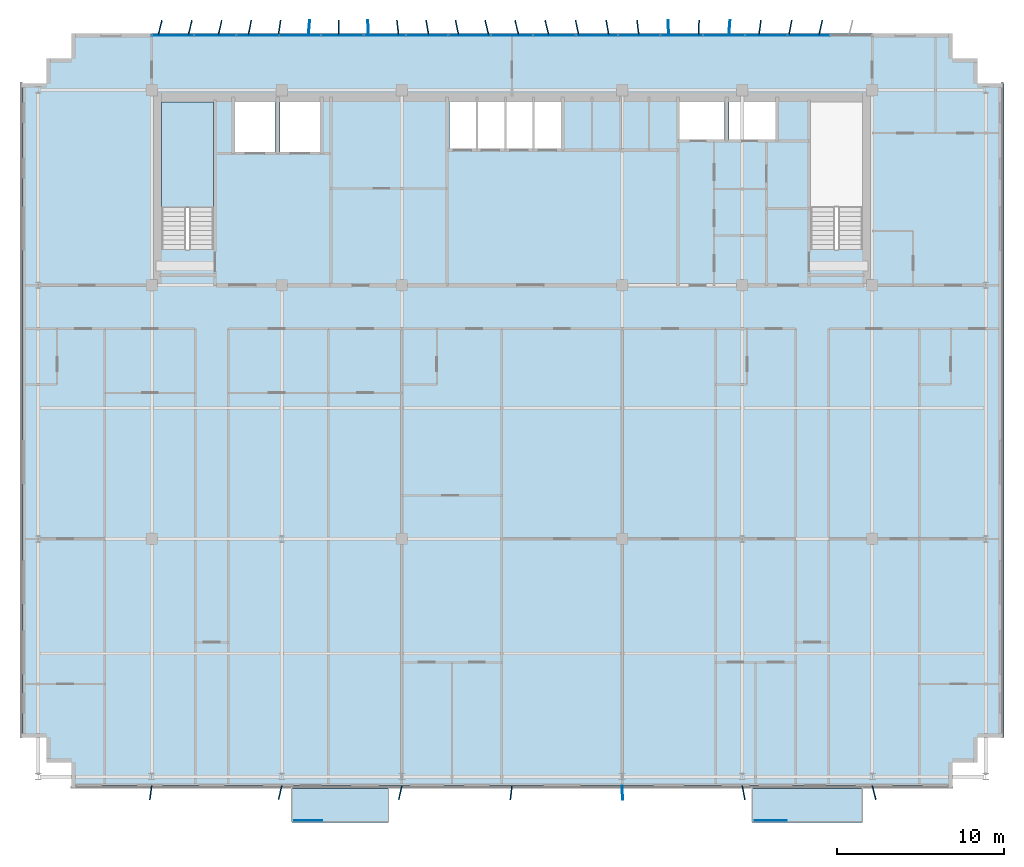
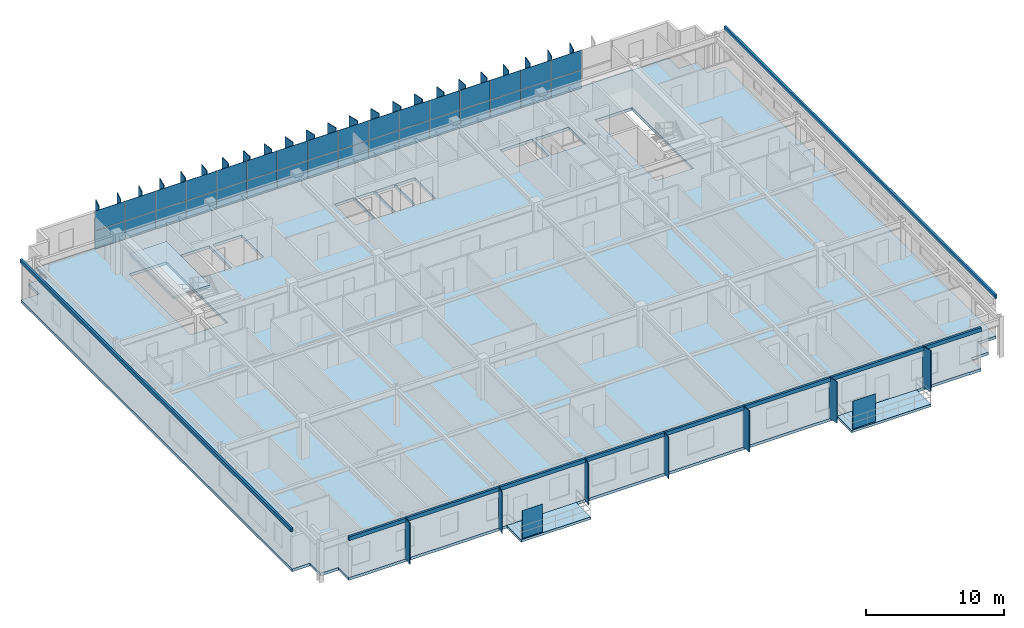
# One storey, part 13 of 21: 67 plates, 4 slabs, 2 elements without a shape of their own.
"""IFC4 building model written with IfcOpenShell, lengths in metres."""

from ifc_helpers import new_model, si_unit, direction, frame, origin, origin_2d, place, context, subcontext, project, spatial, polyline, rectangle, outline, extrude, source, transform, mapped, material, layer, layer_set, type_object, element, aggregate, save


model = new_model("IFC4")

# Units and contexts
model_context = context("Model", 3, precision=1e-05, world=origin(), true_north=direction((0.0, 1.0)))
body_context = subcontext(model_context, "Body", "Model", "MODEL_VIEW")
ifc_project = project(units=[si_unit("LENGTHUNIT", "METRE"), si_unit("AREAUNIT", "SQUARE_METRE"), si_unit("VOLUMEUNIT", "CUBIC_METRE"), si_unit("PLANEANGLEUNIT", "RADIAN"), si_unit("MASSUNIT", "GRAM", prefix="KILO")], contexts=[model_context])

# Site, building, storey
site_placement = place(None, origin())
site = spatial("IfcSite", under=ifc_project, at=site_placement, CompositionType="ELEMENT")
building_placement = place(site_placement, origin())
building = spatial("IfcBuilding", under=site, at=building_placement, Name="Trelvane Seafront Commons", CompositionType="ELEMENT")
storey_placement = place(building_placement, frame((0.0, 0.0, 153.699951171875)))
storey = spatial("IfcBuildingStorey", under=building, at=storey_placement, Name="L40", CompositionType="ELEMENT", Elevation=153.699951171875)

# Slabs
ifc_material_1 = material(Name="Concrete C40/50", Category="concrete")
ifc_layer_1 = layer(ifc_material_1, 0.219970703125, Name="ARCH-BALC-220")
ifc_layer_set_1 = layer_set([ifc_layer_1], Name="Concrete C40/50")
slab_type_1 = type_object("IfcSlabType", Name="ARCH-BALC-220", PredefinedType="FLOOR", material=ifc_layer_set_1)
slab_1_placement = place(storey_placement, frame((0.0, 0.0, -0.219970703125)))
element("IfcSlab", 1, at=slab_1_placement, inside=storey, type_object=slab_type_1, Name="L40 Cantilevered Tree Balcony Loggia 2", PredefinedType="FLOOR", context=body_context, shape_type="SweptSolid", body=[
    extrude(outline(polyline([(24.0, 1.199951171875), (29.800048828125, 1.199951171875), (29.800048828125, 3.300048828125), (24.0, 3.300048828125), (24.0, 1.199951171875)])), origin(), (0.0, 0.0, 1.0), 0.219970703125),
])
slab_2_placement = place(storey_placement, frame((0.0, 0.0, -0.219970703125)))
element("IfcSlab", 2, at=slab_2_placement, inside=storey, type_object=slab_type_1, Name="L40 Cantilevered Tree Balcony Loggia 3", PredefinedType="FLOOR", context=body_context, shape_type="SweptSolid", body=[
    extrude(outline(polyline([(51.60009765625, 1.199951171875), (58.199951171875, 1.199951171875), (58.199951171875, 3.300048828125), (51.60009765625, 3.300048828125), (51.60009765625, 1.199951171875)])), origin(), (0.0, 0.0, 1.0), 0.219970703125),
])

# Stair, slab
stair_type = type_object("IfcStairType", Name="ARCH-STR-ST-1-R20-180", PredefinedType="HALF_TURN_STAIR", material=ifc_material_1)
stair_placement = place(storey_placement, origin())
stair = element("IfcStair", 3, at=stair_placement, inside=storey, type_object=stair_type, Name="L40 West Protected Firefighting Exit Stair ST-1", PredefinedType="HALF_TURN_STAIR")
ifc_layer_2 = layer(ifc_material_1, 0.199951171875, Name="ARCH-LND-200")
ifc_layer_set_2 = layer_set([ifc_layer_2], Name="Concrete C40/50")
slab_type_2 = type_object("IfcSlabType", Name="ARCH-LND-200", PredefinedType="LANDING", material=ifc_layer_set_2)
slab_3_placement = place(storey_placement, frame((0.0, 0.0, 1.60009765625)))
slab_3 = element("IfcSlab", 4, at=slab_3_placement, type_object=slab_type_2, Name="ST-1 landing 1", PredefinedType="LANDING", context=body_context, shape_type="SweptSolid", body=[
    extrude(outline(polyline([(19.300048828125, 38.070068359375), (19.300048828125, 44.39990234375), (16.199951171875, 44.39990234375), (16.199951171875, 38.070068359375), (19.300048828125, 38.070068359375)])), origin(), (0.0, 0.0, 1.0), 0.199951171875),
])
aggregate(stair, [slab_3])

# Slab
ifc_material_2 = material(Name="Concrete C50/60", Category="concrete")
ifc_layer_3 = layer(ifc_material_2, 0.25, Name="STR-SLB-Z3-250")
ifc_layer_set_3 = layer_set([ifc_layer_3], Name="Concrete C50/60")
slab_type_3 = type_object("IfcSlabType", Name="STR-SLB-Z3-250", PredefinedType="FLOOR", material=ifc_layer_set_3)
slab_4_placement = place(storey_placement, frame((0.0, 0.0, -0.25)))
element("IfcSlab", 5, at=slab_4_placement, inside=storey, type_object=slab_type_3, Name="L40 Structural Floor Slab", PredefinedType="FLOOR", context=body_context, shape_type="SweptSolid", body=[
    extrude(outline(polyline([(10.800048828125, 3.300048828125), (63.60009765625, 3.300048828125), (63.60009765625, 4.800048828125), (65.10009765625, 4.800048828125), (65.10009765625, 6.300048828125), (66.60009765625, 6.300048828125), (66.60009765625, 45.5), (65.10009765625, 45.5), (65.10009765625, 47.0), (63.60009765625, 47.0), (63.60009765625, 48.5), (10.800048828125, 48.5), (10.800048828125, 47.0), (9.300048828125, 47.0), (9.300048828125, 45.5), (7.800048828125, 45.5), (7.800048828125, 6.300048828125), (9.300048828125, 6.300048828125), (9.300048828125, 4.800048828125), (10.800048828125, 4.800048828125), (10.800048828125, 3.300048828125)]), holes=[polyline([(19.300048828125, 35.550048828125), (16.199951171875, 35.550048828125), (16.199951171875, 44.39990234375), (19.300048828125, 44.39990234375), (19.300048828125, 35.550048828125)]), polyline([(58.199951171875, 35.550048828125), (55.10009765625, 35.550048828125), (55.10009765625, 44.39990234375), (58.199951171875, 44.39990234375), (58.199951171875, 35.550048828125)]), polyline([(23.0, 41.39990234375), (20.60009765625, 41.39990234375), (20.60009765625, 44.60009765625), (23.0, 44.60009765625), (23.0, 41.39990234375)]), polyline([(23.300048828125, 41.39990234375), (23.300048828125, 44.60009765625), (25.699951171875, 44.60009765625), (25.699951171875, 41.39990234375), (23.300048828125, 41.39990234375)]), polyline([(33.449951171875, 41.60009765625), (33.449951171875, 44.60009765625), (35.070068359375, 44.60009765625), (35.070068359375, 41.60009765625), (33.449951171875, 41.60009765625)]), polyline([(36.77001953125, 41.60009765625), (35.14990234375, 41.60009765625), (35.14990234375, 44.60009765625), (36.77001953125, 44.60009765625), (36.77001953125, 41.60009765625)]), polyline([(38.469970703125, 41.60009765625), (36.85009765625, 41.60009765625), (36.85009765625, 44.60009765625), (38.469970703125, 44.60009765625), (38.469970703125, 41.60009765625)]), polyline([(40.169921875, 41.60009765625), (38.550048828125, 41.60009765625), (38.550048828125, 44.60009765625), (40.169921875, 44.60009765625), (40.169921875, 41.60009765625)]), polyline([(47.25, 42.14990234375), (47.25, 44.550048828125), (49.949951171875, 44.550048828125), (49.949951171875, 42.14990234375), (47.25, 42.14990234375)]), polyline([(50.199951171875, 42.14990234375), (50.199951171875, 44.550048828125), (53.0, 44.550048828125), (53.0, 42.14990234375), (50.199951171875, 42.14990234375)])]), origin(), (0.0, 0.0, 1.0), 0.25),
])

# Plates
ifc_material_3 = material(Name="Perforated anodised aluminium screen", Category="aluminium")
ifc_layer_4 = layer(ifc_material_3, 0.01611328125, Name="ARCH-PLATE-SCREEN")
ifc_layer_set_4 = layer_set([ifc_layer_4], Name="Perforated anodised aluminium screen")
plate_type_1 = type_object("IfcPlateType", Name="ARCH-PLATE-SCREEN", PredefinedType="USERDEFINED", material=ifc_layer_set_4)
shared_shape_1 = source(origin(), body_context, "Body", "SweptSolid", [
    extrude(rectangle(XDim=1.9140625, YDim=0.01611328125, at=origin_2d()), origin(), (0.0, 0.0, 1.0), 2.449951171875),
])
plate_1_placement = place(storey_placement, frame((52.70703125, 1.320068359375, 0.0), z_axis=(0.0, 0.0, 1.0), x_axis=(1.0, 0.0, 0.0)))
element("IfcPlate", 6, at=plate_1_placement, inside=storey, type_object=plate_type_1, Name="SCR-L40-00147", ObjectType="SCREEN", PredefinedType="USERDEFINED", context=body_context, shape_type="MappedRepresentation", body=[
    mapped(shared_shape_1, transform((0.0, 0.0, 0.0), x_axis=(1.0, 0.0, 0.0), y_axis=(0.0, 1.0, 0.0), z_axis=(0.0, 0.0, 1.0), scale=1.0)),
])
shared_shape_2 = source(origin(), body_context, "Body", "SweptSolid", [
    extrude(rectangle(XDim=1.681884765625, YDim=0.01611328125, at=origin_2d()), origin(), (0.0, 0.0, 1.0), 2.449951171875),
])
plate_2_placement = place(storey_placement, frame((24.990966796875, 1.320068359375, 0.0), z_axis=(0.0, 0.0, 1.0), x_axis=(1.0, 0.0, 0.0)))
element("IfcPlate", 7, at=plate_2_placement, inside=storey, type_object=plate_type_1, Name="SCR-L40-00146", ObjectType="SCREEN", PredefinedType="USERDEFINED", context=body_context, shape_type="MappedRepresentation", body=[
    mapped(shared_shape_2, transform((0.0, 0.0, 0.0), x_axis=(1.0, 0.0, 0.0), y_axis=(0.0, 1.0, 0.0), z_axis=(0.0, 0.0, 1.0), scale=1.0)),
])
ifc_material_4 = material(Name="Anodised pale-silver aluminium", Category="aluminium")
ifc_layer_5 = layer(ifc_material_4, 0.06005859375, Name="ARCH-PLATE-FIN900")
ifc_layer_set_5 = layer_set([ifc_layer_5], Name="Anodised pale-silver aluminium")
plate_type_2 = type_object("IfcPlateType", Name="ARCH-PLATE-FIN900", PredefinedType="USERDEFINED", material=ifc_layer_set_5)
shared_shape_3 = source(origin(), body_context, "Body", "SweptSolid", [
    extrude(rectangle(XDim=0.89990234375, YDim=0.06005859375, at=origin_2d()), origin(), (0.0, 0.0, 1.0), 3.639892578125),
])
for number, where, z_axis, x_axis, name in (
    (8, (16.107666015625, 48.8369140625, -0.02001953125), (0.0, 0.0, 1.0), (0.239109698229, 0.970992560328, 0.0), "FIN-L40-01092"),
    (9, (17.908203125, 48.8369140625, -0.02001953125), (0.0, 0.0, 1.0), (0.240234819351, 0.970714804446, 0.0), "FIN-L40-01093"),
    (10, (19.70068359375, 48.838623046875, -0.02001953125), (0.0, 0.0, 1.0), (0.223877841703, 0.974617213061, 0.0), "FIN-L40-01094"),
    (11, (21.48583984375, 48.841796875, -0.02001953125), (0.0, 0.0, 1.0), (0.191006016735, 0.981588865855, 0.0), "FIN-L40-01095"),
    (12, (23.2646484375, 48.84521484375, -0.02001953125), (0.0, 0.0, 1.0), (0.143895063446, 0.989592952034, 0.0), "FIN-L40-01096"),
    (13, (25.03857421875, 48.848388671875, -0.02001953125), (0.0, 0.0, 1.0), (0.085665590409, 0.996323946626, 0.0), "FIN-L40-01097"),
    (14, (26.809326171875, 48.849853515625, -0.02001953125), (0.0, 0.0, 1.0), (0.020888326512, 0.999781815105, 0.0), "FIN-L40-01098"),
    (15, (28.57958984375, 48.849609375, -0.02001953125), (0.0, 0.0, 1.0), (-0.045553032356, 0.998961921818, 0.0), "FIN-L40-01099"),
    (16, (30.351318359375, 48.847412109375, -0.02001953125), (0.0, 0.0, 1.0), (-0.108443535825, 0.994102610165, 0.0), "FIN-L40-01100"),
    (17, (32.126708984375, 48.843994140625, -0.02001953125), (0.0, 0.0, 1.0), (-0.162885141281, 0.986645037868, 0.0), "FIN-L40-01101"),
    (18, (33.90771484375, 48.840576171875, -0.02001953125), (0.0, 0.0, 1.0), (-0.205102510841, 0.978740496785, 0.0), "FIN-L40-01102"),
    (19, (37.4912109375, 48.836669921875, -0.02001953125), (0.0, 0.0, 1.0), (-0.241881251735, 0.970305859025, 0.0), "FIN-L40-01104"),
    (20, (39.294677734375, 48.83740234375, -0.02001953125), (0.0, 0.0, 1.0), (-0.234214079679, 0.972185046624, 0.0), "FIN-L40-01105"),
    (21, (41.105712890625, 48.840087890625, -0.02001953125), (0.0, 0.0, 1.0), (-0.209453024193, 0.977818710527, 0.0), "FIN-L40-01106"),
    (22, (42.924072265625, 48.843505859375, -0.02001953125), (0.0, 0.0, 1.0), (-0.169010630241, 0.985614228218, 0.0), "FIN-L40-01107"),
    (23, (44.747802734375, 48.846923828125, -0.02001953125), (0.0, 0.0, 1.0), (-0.115894133929, 0.993261571652, 0.0), "FIN-L40-01108"),
    (24, (46.57568359375, 48.849365234375, -0.02001953125), (0.0, 0.0, 1.0), (-0.053888849504, 0.998546940258, 0.0), "FIN-L40-01109"),
    (25, (48.405517578125, 48.849853515625, -0.02001953125), (0.0, 0.0, 1.0), (0.012445621583, 0.999922550252, 0.0), "FIN-L40-01110"),
    (26, (50.235107421875, 48.8486328125, -0.02001953125), (0.0, 0.0, 1.0), (0.077775277374, 0.996970915438, 0.0), "FIN-L40-01111"),
    (27, (52.061767578125, 48.845703125, -0.02001953125), (0.0, 0.0, 1.0), (0.137001968457, 0.990570775179, 0.0), "FIN-L40-01112"),
    (28, (53.883544921875, 48.84228515625, -0.02001953125), (0.0, 0.0, 1.0), (0.185784947856, 0.982590430011, 0.0), "FIN-L40-01113"),
    (29, (55.69921875, 48.8388671875, -0.02001953125), (0.0, 0.0, 1.0), (0.220564654085, 0.975372356266, 0.0), "FIN-L40-01114"),
):
    element("IfcPlate", number, at=place(storey_placement, frame(where, z_axis=z_axis, x_axis=x_axis)), inside=storey, type_object=plate_type_2, Name=name, ObjectType="FIN", PredefinedType="USERDEFINED", context=body_context, shape_type="MappedRepresentation", body=[
        mapped(shared_shape_3, transform((0.0, 0.0, 0.0), x_axis=(1.0, 0.0, 0.0), y_axis=(0.0, 1.0, 0.0), z_axis=(0.0, 0.0, 1.0), scale=1.0)),
    ])
shared_shape_4 = source(origin(), body_context, "Body", "SweptSolid", [
    extrude(rectangle(XDim=0.900146484375, YDim=0.06005859375, at=origin_2d()), origin(), (0.0, 0.0, 1.0), 3.639892578125),
])
plate_3_placement = place(storey_placement, frame((35.695556640625, 48.837646484375, -0.02001953125), z_axis=(0.0, 0.0, 1.0), x_axis=(-0.231985590561, 0.972719222475, 0.0)))
element("IfcPlate", 30, at=plate_3_placement, inside=storey, type_object=plate_type_2, Name="FIN-L40-01103", ObjectType="FIN", PredefinedType="USERDEFINED", context=body_context, shape_type="MappedRepresentation", body=[
    mapped(shared_shape_4, transform((0.0, 0.0, 0.0), x_axis=(1.0, 0.0, 0.0), y_axis=(0.0, 1.0, 0.0), z_axis=(0.0, 0.0, 1.0), scale=1.0)),
])
shared_shape_5 = source(origin(), body_context, "Body", "SweptSolid", [
    extrude(rectangle(XDim=0.85009765625, YDim=0.06005859375, at=origin_2d()), origin(), (0.0, 0.0, 1.0), 3.639892578125),
])
for number, where, z_axis, x_axis, name in (
    (31, (15.546142578125, 2.978515625, -0.02001953125), (0.0, 0.0, 1.0), (-0.12658332496, -0.991955977774, 0.0), "FIN-S-L40-01116"),
    (32, (23.302490234375, 2.986328125, -0.02001953125), (0.0, 0.0, 1.0), (-0.229531656764, -0.97330119621, 0.0), "FIN-S-L40-01117"),
    (33, (30.504150390625, 2.98583984375, -0.02001953125), (0.0, 0.0, 1.0), (-0.225418692474, -0.974261983803, 0.0), "FIN-S-L40-01118"),
    (34, (37.15087890625, 2.977783203125, -0.02001953125), (0.0, 0.0, 1.0), (-0.115878531798, -0.99326339199, 0.0), "FIN-S-L40-01119"),
    (35, (43.821044921875, 2.9755859375, -0.02001953125), (0.0, 0.0, 1.0), (0.049526137824, -0.99877282786, 0.0), "FIN-S-L40-01120"),
    (36, (51.081298828125, 2.98291015625, -0.02001953125), (0.0, 0.0, 1.0), (0.19093234878, -0.981603197932, 0.0), "FIN-S-L40-01121"),
    (37, (58.902587890625, 2.987548828125, -0.02001953125), (0.0, 0.0, 1.0), (0.241761011151, -0.970335825108, 0.0), "FIN-S-L40-01122"),
):
    element("IfcPlate", number, at=place(storey_placement, frame(where, z_axis=z_axis, x_axis=x_axis)), inside=storey, type_object=plate_type_2, Name=name, ObjectType="FIN", PredefinedType="USERDEFINED", context=body_context, shape_type="MappedRepresentation", body=[
        mapped(shared_shape_5, transform((0.0, 0.0, 0.0), x_axis=(1.0, 0.0, 0.0), y_axis=(0.0, 1.0, 0.0), z_axis=(0.0, 0.0, 1.0), scale=1.0)),
    ])

# Curtain wall, plates
curtain_wall_type = type_object("IfcCurtainWallType", Name="ARCH-CW5-UPTOWER", PredefinedType="NOTDEFINED", material=ifc_material_4)
curtain_wall_placement = place(storey_placement, origin())
curtain_wall = element("IfcCurtainWall", 38, at=curtain_wall_placement, inside=storey, type_object=curtain_wall_type, Name="CW-L40-0067", PredefinedType="NOTDEFINED")
ifc_material_5 = material(Name="Low-E coastal double glazing", Category="glass")
ifc_layer_6 = layer(ifc_material_5, 0.033935546875, Name="ARCH-CW-GLAZ-34")
ifc_layer_set_6 = layer_set([ifc_layer_6], Name="Low-E coastal double glazing")
plate_type_3 = type_object("IfcPlateType", Name="ARCH-CW-GLAZ-34", PredefinedType="CURTAIN_PANEL", material=ifc_layer_set_6)
shared_shape_6 = source(origin(), body_context, "Body", "SweptSolid", [
    extrude(rectangle(XDim=2.51708984375, YDim=0.033935546875, at=origin_2d()), origin(), (0.0, 0.0, 1.0), 1.590087890625),
])
plate_4_placement = place(storey_placement, frame((16.87060546875, 48.3701171875, 0.0), z_axis=(0.0, 0.0, 1.0), x_axis=(1.0, 0.0, 0.0)))
plate_4 = element("IfcPlate", 39, at=plate_4_placement, type_object=plate_type_3, Name="CW-L40-0067-P00-1", PredefinedType="CURTAIN_PANEL", context=body_context, shape_type="MappedRepresentation", body=[
    mapped(shared_shape_6, transform((0.0, 0.0, 0.0), x_axis=(1.0, 0.0, 0.0), y_axis=(0.0, 1.0, 0.0), z_axis=(0.0, 0.0, 1.0), scale=1.0)),
])
plate_5_placement = place(storey_placement, frame((19.411865234375, 48.3701171875, 0.0), z_axis=(0.0, 0.0, 1.0), x_axis=(1.0, 0.0, 0.0)))
plate_5 = element("IfcPlate", 40, at=plate_5_placement, type_object=plate_type_3, Name="CW-L40-0067-P01-1", PredefinedType="CURTAIN_PANEL", context=body_context, shape_type="MappedRepresentation", body=[
    mapped(shared_shape_6, transform((0.0, 0.0, 0.0), x_axis=(1.0, 0.0, 0.0), y_axis=(0.0, 1.0, 0.0), z_axis=(0.0, 0.0, 1.0), scale=1.0)),
])
plate_6_placement = place(storey_placement, frame((21.952880859375, 48.3701171875, 0.0), z_axis=(0.0, 0.0, 1.0), x_axis=(1.0, 0.0, 0.0)))
plate_6 = element("IfcPlate", 41, at=plate_6_placement, type_object=plate_type_3, Name="CW-L40-0067-P02-1", PredefinedType="CURTAIN_PANEL", context=body_context, shape_type="MappedRepresentation", body=[
    mapped(shared_shape_6, transform((0.0, 0.0, 0.0), x_axis=(1.0, 0.0, 0.0), y_axis=(0.0, 1.0, 0.0), z_axis=(0.0, 0.0, 1.0), scale=1.0)),
])
plate_7_placement = place(storey_placement, frame((24.494140625, 48.3701171875, 0.0), z_axis=(0.0, 0.0, 1.0), x_axis=(1.0, 0.0, 0.0)))
plate_7 = element("IfcPlate", 42, at=plate_7_placement, type_object=plate_type_3, Name="CW-L40-0067-P03-1", PredefinedType="CURTAIN_PANEL", context=body_context, shape_type="MappedRepresentation", body=[
    mapped(shared_shape_6, transform((0.0, 0.0, 0.0), x_axis=(1.0, 0.0, 0.0), y_axis=(0.0, 1.0, 0.0), z_axis=(0.0, 0.0, 1.0), scale=1.0)),
])
plate_8_placement = place(storey_placement, frame((27.035400390625, 48.3701171875, 0.0), z_axis=(0.0, 0.0, 1.0), x_axis=(1.0, 0.0, 0.0)))
plate_8 = element("IfcPlate", 43, at=plate_8_placement, type_object=plate_type_3, Name="CW-L40-0067-P04-1", PredefinedType="CURTAIN_PANEL", context=body_context, shape_type="MappedRepresentation", body=[
    mapped(shared_shape_6, transform((0.0, 0.0, 0.0), x_axis=(1.0, 0.0, 0.0), y_axis=(0.0, 1.0, 0.0), z_axis=(0.0, 0.0, 1.0), scale=1.0)),
])
plate_9_placement = place(storey_placement, frame((29.576416015625, 48.3701171875, 0.0), z_axis=(0.0, 0.0, 1.0), x_axis=(1.0, 0.0, 0.0)))
plate_9 = element("IfcPlate", 44, at=plate_9_placement, type_object=plate_type_3, Name="CW-L40-0067-P05-1", PredefinedType="CURTAIN_PANEL", context=body_context, shape_type="MappedRepresentation", body=[
    mapped(shared_shape_6, transform((0.0, 0.0, 0.0), x_axis=(1.0, 0.0, 0.0), y_axis=(0.0, 1.0, 0.0), z_axis=(0.0, 0.0, 1.0), scale=1.0)),
])
plate_10_placement = place(storey_placement, frame((32.11767578125, 48.3701171875, 0.0), z_axis=(0.0, 0.0, 1.0), x_axis=(1.0, 0.0, 0.0)))
plate_10 = element("IfcPlate", 45, at=plate_10_placement, type_object=plate_type_3, Name="CW-L40-0067-P06-1", PredefinedType="CURTAIN_PANEL", context=body_context, shape_type="MappedRepresentation", body=[
    mapped(shared_shape_6, transform((0.0, 0.0, 0.0), x_axis=(1.0, 0.0, 0.0), y_axis=(0.0, 1.0, 0.0), z_axis=(0.0, 0.0, 1.0), scale=1.0)),
])
plate_11_placement = place(storey_placement, frame((34.65869140625, 48.3701171875, 0.0), z_axis=(0.0, 0.0, 1.0), x_axis=(1.0, 0.0, 0.0)))
plate_11 = element("IfcPlate", 46, at=plate_11_placement, type_object=plate_type_3, Name="CW-L40-0067-P07-1", PredefinedType="CURTAIN_PANEL", context=body_context, shape_type="MappedRepresentation", body=[
    mapped(shared_shape_6, transform((0.0, 0.0, 0.0), x_axis=(1.0, 0.0, 0.0), y_axis=(0.0, 1.0, 0.0), z_axis=(0.0, 0.0, 1.0), scale=1.0)),
])
plate_12_placement = place(storey_placement, frame((37.199951171875, 48.3701171875, 0.0), z_axis=(0.0, 0.0, 1.0), x_axis=(1.0, 0.0, 0.0)))
plate_12 = element("IfcPlate", 47, at=plate_12_placement, type_object=plate_type_3, Name="CW-L40-0067-P08-1", PredefinedType="CURTAIN_PANEL", context=body_context, shape_type="MappedRepresentation", body=[
    mapped(shared_shape_6, transform((0.0, 0.0, 0.0), x_axis=(1.0, 0.0, 0.0), y_axis=(0.0, 1.0, 0.0), z_axis=(0.0, 0.0, 1.0), scale=1.0)),
])
plate_13_placement = place(storey_placement, frame((39.7412109375, 48.3701171875, 0.0), z_axis=(0.0, 0.0, 1.0), x_axis=(1.0, 0.0, 0.0)))
plate_13 = element("IfcPlate", 48, at=plate_13_placement, type_object=plate_type_3, Name="CW-L40-0067-P09-1", PredefinedType="CURTAIN_PANEL", context=body_context, shape_type="MappedRepresentation", body=[
    mapped(shared_shape_6, transform((0.0, 0.0, 0.0), x_axis=(1.0, 0.0, 0.0), y_axis=(0.0, 1.0, 0.0), z_axis=(0.0, 0.0, 1.0), scale=1.0)),
])
plate_14_placement = place(storey_placement, frame((42.282470703125, 48.3701171875, 0.0), z_axis=(0.0, 0.0, 1.0), x_axis=(1.0, 0.0, 0.0)))
plate_14 = element("IfcPlate", 49, at=plate_14_placement, type_object=plate_type_3, Name="CW-L40-0067-P10-1", PredefinedType="CURTAIN_PANEL", context=body_context, shape_type="MappedRepresentation", body=[
    mapped(shared_shape_6, transform((0.0, 0.0, 0.0), x_axis=(1.0, 0.0, 0.0), y_axis=(0.0, 1.0, 0.0), z_axis=(0.0, 0.0, 1.0), scale=1.0)),
])
plate_15_placement = place(storey_placement, frame((44.823486328125, 48.3701171875, 0.0), z_axis=(0.0, 0.0, 1.0), x_axis=(1.0, 0.0, 0.0)))
plate_15 = element("IfcPlate", 50, at=plate_15_placement, type_object=plate_type_3, Name="CW-L40-0067-P11-1", PredefinedType="CURTAIN_PANEL", context=body_context, shape_type="MappedRepresentation", body=[
    mapped(shared_shape_6, transform((0.0, 0.0, 0.0), x_axis=(1.0, 0.0, 0.0), y_axis=(0.0, 1.0, 0.0), z_axis=(0.0, 0.0, 1.0), scale=1.0)),
])
plate_16_placement = place(storey_placement, frame((47.36474609375, 48.3701171875, 0.0), z_axis=(0.0, 0.0, 1.0), x_axis=(1.0, 0.0, 0.0)))
plate_16 = element("IfcPlate", 51, at=plate_16_placement, type_object=plate_type_3, Name="CW-L40-0067-P12-1", PredefinedType="CURTAIN_PANEL", context=body_context, shape_type="MappedRepresentation", body=[
    mapped(shared_shape_6, transform((0.0, 0.0, 0.0), x_axis=(1.0, 0.0, 0.0), y_axis=(0.0, 1.0, 0.0), z_axis=(0.0, 0.0, 1.0), scale=1.0)),
])
plate_17_placement = place(storey_placement, frame((49.906005859375, 48.3701171875, 0.0), z_axis=(0.0, 0.0, 1.0), x_axis=(1.0, 0.0, 0.0)))
plate_17 = element("IfcPlate", 52, at=plate_17_placement, type_object=plate_type_3, Name="CW-L40-0067-P13-1", PredefinedType="CURTAIN_PANEL", context=body_context, shape_type="MappedRepresentation", body=[
    mapped(shared_shape_6, transform((0.0, 0.0, 0.0), x_axis=(1.0, 0.0, 0.0), y_axis=(0.0, 1.0, 0.0), z_axis=(0.0, 0.0, 1.0), scale=1.0)),
])
plate_18_placement = place(storey_placement, frame((52.447021484375, 48.3701171875, 0.0), z_axis=(0.0, 0.0, 1.0), x_axis=(1.0, 0.0, 0.0)))
plate_18 = element("IfcPlate", 53, at=plate_18_placement, type_object=plate_type_3, Name="CW-L40-0067-P14-1", PredefinedType="CURTAIN_PANEL", context=body_context, shape_type="MappedRepresentation", body=[
    mapped(shared_shape_6, transform((0.0, 0.0, 0.0), x_axis=(1.0, 0.0, 0.0), y_axis=(0.0, 1.0, 0.0), z_axis=(0.0, 0.0, 1.0), scale=1.0)),
])
plate_19_placement = place(storey_placement, frame((54.98828125, 48.3701171875, 0.0), z_axis=(0.0, 0.0, 1.0), x_axis=(1.0, 0.0, 0.0)))
plate_19 = element("IfcPlate", 54, at=plate_19_placement, type_object=plate_type_3, Name="CW-L40-0067-P15-1", PredefinedType="CURTAIN_PANEL", context=body_context, shape_type="MappedRepresentation", body=[
    mapped(shared_shape_6, transform((0.0, 0.0, 0.0), x_axis=(1.0, 0.0, 0.0), y_axis=(0.0, 1.0, 0.0), z_axis=(0.0, 0.0, 1.0), scale=1.0)),
])
shared_shape_7 = source(origin(), body_context, "Body", "SweptSolid", [
    extrude(rectangle(XDim=2.51708984375, YDim=0.033935546875, at=origin_2d()), origin(), (0.0, 0.0, 1.0), 1.72412109375),
])
plate_20_placement = place(storey_placement, frame((16.87060546875, 48.3701171875, 1.6259765625), z_axis=(0.0, 0.0, 1.0), x_axis=(1.0, 0.0, 0.0)))
plate_20 = element("IfcPlate", 55, at=plate_20_placement, type_object=plate_type_3, Name="CW-L40-0067-P00-2", PredefinedType="CURTAIN_PANEL", context=body_context, shape_type="MappedRepresentation", body=[
    mapped(shared_shape_7, transform((0.0, 0.0, 0.0), x_axis=(1.0, 0.0, 0.0), y_axis=(0.0, 1.0, 0.0), z_axis=(0.0, 0.0, 1.0), scale=1.0)),
])
plate_21_placement = place(storey_placement, frame((19.411865234375, 48.3701171875, 1.6259765625), z_axis=(0.0, 0.0, 1.0), x_axis=(1.0, 0.0, 0.0)))
plate_21 = element("IfcPlate", 56, at=plate_21_placement, type_object=plate_type_3, Name="CW-L40-0067-P01-2", PredefinedType="CURTAIN_PANEL", context=body_context, shape_type="MappedRepresentation", body=[
    mapped(shared_shape_7, transform((0.0, 0.0, 0.0), x_axis=(1.0, 0.0, 0.0), y_axis=(0.0, 1.0, 0.0), z_axis=(0.0, 0.0, 1.0), scale=1.0)),
])
plate_22_placement = place(storey_placement, frame((21.952880859375, 48.3701171875, 1.6259765625), z_axis=(0.0, 0.0, 1.0), x_axis=(1.0, 0.0, 0.0)))
plate_22 = element("IfcPlate", 57, at=plate_22_placement, type_object=plate_type_3, Name="CW-L40-0067-P02-2", PredefinedType="CURTAIN_PANEL", context=body_context, shape_type="MappedRepresentation", body=[
    mapped(shared_shape_7, transform((0.0, 0.0, 0.0), x_axis=(1.0, 0.0, 0.0), y_axis=(0.0, 1.0, 0.0), z_axis=(0.0, 0.0, 1.0), scale=1.0)),
])
plate_23_placement = place(storey_placement, frame((24.494140625, 48.3701171875, 1.6259765625), z_axis=(0.0, 0.0, 1.0), x_axis=(1.0, 0.0, 0.0)))
plate_23 = element("IfcPlate", 58, at=plate_23_placement, type_object=plate_type_3, Name="CW-L40-0067-P03-2", PredefinedType="CURTAIN_PANEL", context=body_context, shape_type="MappedRepresentation", body=[
    mapped(shared_shape_7, transform((0.0, 0.0, 0.0), x_axis=(1.0, 0.0, 0.0), y_axis=(0.0, 1.0, 0.0), z_axis=(0.0, 0.0, 1.0), scale=1.0)),
])
plate_24_placement = place(storey_placement, frame((27.035400390625, 48.3701171875, 1.6259765625), z_axis=(0.0, 0.0, 1.0), x_axis=(1.0, 0.0, 0.0)))
plate_24 = element("IfcPlate", 59, at=plate_24_placement, type_object=plate_type_3, Name="CW-L40-0067-P04-2", PredefinedType="CURTAIN_PANEL", context=body_context, shape_type="MappedRepresentation", body=[
    mapped(shared_shape_7, transform((0.0, 0.0, 0.0), x_axis=(1.0, 0.0, 0.0), y_axis=(0.0, 1.0, 0.0), z_axis=(0.0, 0.0, 1.0), scale=1.0)),
])
plate_25_placement = place(storey_placement, frame((29.576416015625, 48.3701171875, 1.6259765625), z_axis=(0.0, 0.0, 1.0), x_axis=(1.0, 0.0, 0.0)))
plate_25 = element("IfcPlate", 60, at=plate_25_placement, type_object=plate_type_3, Name="CW-L40-0067-P05-2", PredefinedType="CURTAIN_PANEL", context=body_context, shape_type="MappedRepresentation", body=[
    mapped(shared_shape_7, transform((0.0, 0.0, 0.0), x_axis=(1.0, 0.0, 0.0), y_axis=(0.0, 1.0, 0.0), z_axis=(0.0, 0.0, 1.0), scale=1.0)),
])
plate_26_placement = place(storey_placement, frame((32.11767578125, 48.3701171875, 1.6259765625), z_axis=(0.0, 0.0, 1.0), x_axis=(1.0, 0.0, 0.0)))
plate_26 = element("IfcPlate", 61, at=plate_26_placement, type_object=plate_type_3, Name="CW-L40-0067-P06-2", PredefinedType="CURTAIN_PANEL", context=body_context, shape_type="MappedRepresentation", body=[
    mapped(shared_shape_7, transform((0.0, 0.0, 0.0), x_axis=(1.0, 0.0, 0.0), y_axis=(0.0, 1.0, 0.0), z_axis=(0.0, 0.0, 1.0), scale=1.0)),
])
plate_27_placement = place(storey_placement, frame((34.65869140625, 48.3701171875, 1.6259765625), z_axis=(0.0, 0.0, 1.0), x_axis=(1.0, 0.0, 0.0)))
plate_27 = element("IfcPlate", 62, at=plate_27_placement, type_object=plate_type_3, Name="CW-L40-0067-P07-2", PredefinedType="CURTAIN_PANEL", context=body_context, shape_type="MappedRepresentation", body=[
    mapped(shared_shape_7, transform((0.0, 0.0, 0.0), x_axis=(1.0, 0.0, 0.0), y_axis=(0.0, 1.0, 0.0), z_axis=(0.0, 0.0, 1.0), scale=1.0)),
])
plate_28_placement = place(storey_placement, frame((37.199951171875, 48.3701171875, 1.6259765625), z_axis=(0.0, 0.0, 1.0), x_axis=(1.0, 0.0, 0.0)))
plate_28 = element("IfcPlate", 63, at=plate_28_placement, type_object=plate_type_3, Name="CW-L40-0067-P08-2", PredefinedType="CURTAIN_PANEL", context=body_context, shape_type="MappedRepresentation", body=[
    mapped(shared_shape_7, transform((0.0, 0.0, 0.0), x_axis=(1.0, 0.0, 0.0), y_axis=(0.0, 1.0, 0.0), z_axis=(0.0, 0.0, 1.0), scale=1.0)),
])
plate_29_placement = place(storey_placement, frame((39.7412109375, 48.3701171875, 1.6259765625), z_axis=(0.0, 0.0, 1.0), x_axis=(1.0, 0.0, 0.0)))
plate_29 = element("IfcPlate", 64, at=plate_29_placement, type_object=plate_type_3, Name="CW-L40-0067-P09-2", PredefinedType="CURTAIN_PANEL", context=body_context, shape_type="MappedRepresentation", body=[
    mapped(shared_shape_7, transform((0.0, 0.0, 0.0), x_axis=(1.0, 0.0, 0.0), y_axis=(0.0, 1.0, 0.0), z_axis=(0.0, 0.0, 1.0), scale=1.0)),
])
plate_30_placement = place(storey_placement, frame((42.282470703125, 48.3701171875, 1.6259765625), z_axis=(0.0, 0.0, 1.0), x_axis=(1.0, 0.0, 0.0)))
plate_30 = element("IfcPlate", 65, at=plate_30_placement, type_object=plate_type_3, Name="CW-L40-0067-P10-2", PredefinedType="CURTAIN_PANEL", context=body_context, shape_type="MappedRepresentation", body=[
    mapped(shared_shape_7, transform((0.0, 0.0, 0.0), x_axis=(1.0, 0.0, 0.0), y_axis=(0.0, 1.0, 0.0), z_axis=(0.0, 0.0, 1.0), scale=1.0)),
])
plate_31_placement = place(storey_placement, frame((44.823486328125, 48.3701171875, 1.6259765625), z_axis=(0.0, 0.0, 1.0), x_axis=(1.0, 0.0, 0.0)))
plate_31 = element("IfcPlate", 66, at=plate_31_placement, type_object=plate_type_3, Name="CW-L40-0067-P11-2", PredefinedType="CURTAIN_PANEL", context=body_context, shape_type="MappedRepresentation", body=[
    mapped(shared_shape_7, transform((0.0, 0.0, 0.0), x_axis=(1.0, 0.0, 0.0), y_axis=(0.0, 1.0, 0.0), z_axis=(0.0, 0.0, 1.0), scale=1.0)),
])
plate_32_placement = place(storey_placement, frame((47.36474609375, 48.3701171875, 1.6259765625), z_axis=(0.0, 0.0, 1.0), x_axis=(1.0, 0.0, 0.0)))
plate_32 = element("IfcPlate", 67, at=plate_32_placement, type_object=plate_type_3, Name="CW-L40-0067-P12-2", PredefinedType="CURTAIN_PANEL", context=body_context, shape_type="MappedRepresentation", body=[
    mapped(shared_shape_7, transform((0.0, 0.0, 0.0), x_axis=(1.0, 0.0, 0.0), y_axis=(0.0, 1.0, 0.0), z_axis=(0.0, 0.0, 1.0), scale=1.0)),
])
plate_33_placement = place(storey_placement, frame((49.906005859375, 48.3701171875, 1.6259765625), z_axis=(0.0, 0.0, 1.0), x_axis=(1.0, 0.0, 0.0)))
plate_33 = element("IfcPlate", 68, at=plate_33_placement, type_object=plate_type_3, Name="CW-L40-0067-P13-2", PredefinedType="CURTAIN_PANEL", context=body_context, shape_type="MappedRepresentation", body=[
    mapped(shared_shape_7, transform((0.0, 0.0, 0.0), x_axis=(1.0, 0.0, 0.0), y_axis=(0.0, 1.0, 0.0), z_axis=(0.0, 0.0, 1.0), scale=1.0)),
])
plate_34_placement = place(storey_placement, frame((52.447021484375, 48.3701171875, 1.6259765625), z_axis=(0.0, 0.0, 1.0), x_axis=(1.0, 0.0, 0.0)))
plate_34 = element("IfcPlate", 69, at=plate_34_placement, type_object=plate_type_3, Name="CW-L40-0067-P14-2", PredefinedType="CURTAIN_PANEL", context=body_context, shape_type="MappedRepresentation", body=[
    mapped(shared_shape_7, transform((0.0, 0.0, 0.0), x_axis=(1.0, 0.0, 0.0), y_axis=(0.0, 1.0, 0.0), z_axis=(0.0, 0.0, 1.0), scale=1.0)),
])
plate_35_placement = place(storey_placement, frame((54.98828125, 48.3701171875, 1.6259765625), z_axis=(0.0, 0.0, 1.0), x_axis=(1.0, 0.0, 0.0)))
plate_35 = element("IfcPlate", 70, at=plate_35_placement, type_object=plate_type_3, Name="CW-L40-0067-P15-2", PredefinedType="CURTAIN_PANEL", context=body_context, shape_type="MappedRepresentation", body=[
    mapped(shared_shape_7, transform((0.0, 0.0, 0.0), x_axis=(1.0, 0.0, 0.0), y_axis=(0.0, 1.0, 0.0), z_axis=(0.0, 0.0, 1.0), scale=1.0)),
])
aggregate(curtain_wall, [plate_4, plate_20, plate_5, plate_21, plate_6, plate_22, plate_7, plate_23, plate_8, plate_24, plate_9, plate_25, plate_10, plate_26, plate_11, plate_27, plate_12, plate_28, plate_13, plate_29, plate_14, plate_30, plate_15, plate_31, plate_16, plate_32, plate_17, plate_33, plate_18, plate_34, plate_19, plate_35])

# Plates
ifc_layer_7 = layer(ifc_material_4, 0.179931640625, Name="ARCH-PLATE-AERO")
ifc_layer_set_7 = layer_set([ifc_layer_7], Name="Anodised pale-silver aluminium")
plate_type_4 = type_object("IfcPlateType", Name="ARCH-PLATE-AERO", PredefinedType="SHEET", material=ifc_layer_set_7)
shared_shape_8 = source(origin(), body_context, "Body", "SweptSolid", [
    extrude(rectangle(XDim=39.199951171875, YDim=0.179931640625, at=origin_2d()), origin(), (0.0, 0.0, 1.0), 0.330078125),
])
for number, where, z_axis, x_axis, name in (
    (71, (7.800048828125, 25.89990234375, 3.2900390625), (0.0, 0.0, 1.0), (0.0, 1.0, 0.0), "AER-L40-00144"),
    (72, (66.60009765625, 25.89990234375, 3.2900390625), (0.0, 0.0, 1.0), (0.0, -1.0, 0.0), "AER-L40-00145"),
):
    element("IfcPlate", number, at=place(storey_placement, frame(where, z_axis=z_axis, x_axis=x_axis)), inside=storey, type_object=plate_type_4, Name=name, PredefinedType="SHEET", context=body_context, shape_type="MappedRepresentation", body=[
        mapped(shared_shape_8, transform((0.0, 0.0, 0.0), x_axis=(1.0, 0.0, 0.0), y_axis=(0.0, 1.0, 0.0), z_axis=(0.0, 0.0, 1.0), scale=1.0)),
    ])
shared_shape_9 = source(origin(), body_context, "Body", "SweptSolid", [
    extrude(rectangle(XDim=52.800048828125, YDim=0.179931640625, at=origin_2d()), origin(), (0.0, 0.0, 1.0), 0.330078125),
])
plate_36_placement = place(storey_placement, frame((37.199951171875, 3.340087890625, 3.2900390625), z_axis=(0.0, 0.0, 1.0), x_axis=(-1.0, 0.0, 0.0)))
element("IfcPlate", 73, at=plate_36_placement, inside=storey, type_object=plate_type_4, Name="AER-S-L40-00148", PredefinedType="SHEET", context=body_context, shape_type="MappedRepresentation", body=[
    mapped(shared_shape_9, transform((0.0, 0.0, 0.0), x_axis=(1.0, 0.0, 0.0), y_axis=(0.0, 1.0, 0.0), z_axis=(0.0, 0.0, 1.0), scale=1.0)),
])

save(model, "model.ifc")
